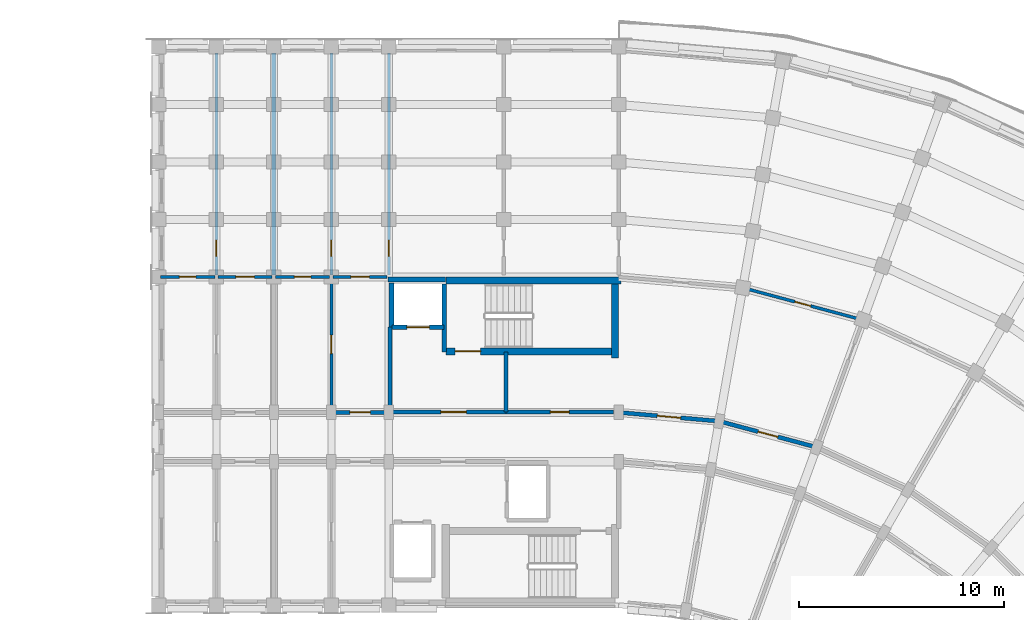
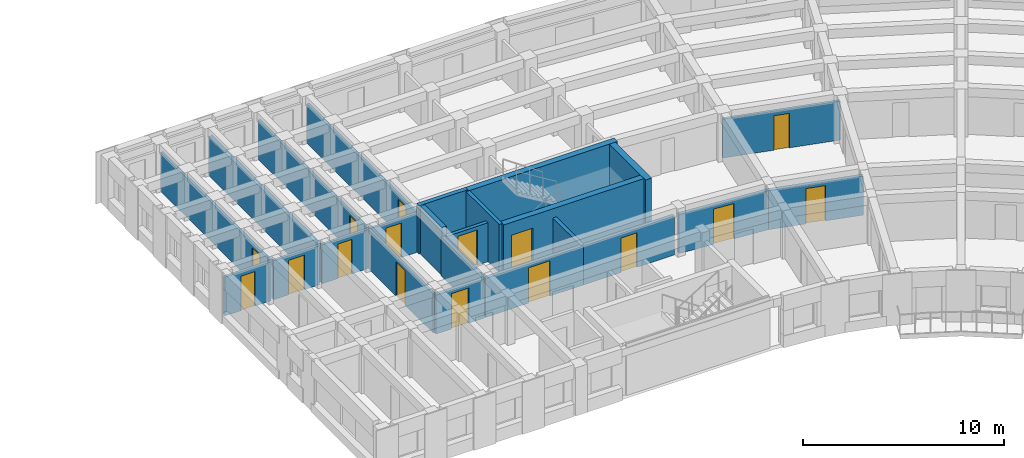
# One storey, part 31 of 57: 24 walls, 16 doors, 16 openings.
"""IFC4 building model written with IfcOpenShell, lengths in metres."""

import ifcopenshell
import ifcopenshell.guid

model = None  # the IFC model being written
_history = None  # IfcOwnerHistory: only IFC2X3 demands one
_inside = {}  # id of a spatial element -> (the spatial element, [elements in it])
_under = {}  # id of a project, library or spatial element -> (it, [spatial elements below it])
_declared = {}  # id of a project -> (the project, [libraries it declares])
_typed = {}  # id of a type object -> (the type object, [elements of that type])
_made_of = {}  # id of a material, layer set ... -> (it, [elements and type objects made of it])


def new_model(schema):
    """Start an empty IFC model of exactly this schema.

    Asked for "IFC4X3", IfcOpenShell would pick the latest addendum, in which some entities
    have other attributes; the version numbers below select the first issue.
    IFC2X3 requires an IfcOwnerHistory on every rooted entity: one is made here for all.
    """
    global model, _history
    if schema == "IFC4X3":
        model = ifcopenshell.file(schema_version=(4, 3, 0, 0))
    else:
        model = ifcopenshell.file(schema=schema)
    _inside.clear()
    _under.clear()
    _declared.clear()
    _typed.clear()
    _made_of.clear()
    _history = None
    if model.schema == "IFC2X3":
        org = make("IfcOrganization", Name="unknown")
        user = make(
            "IfcPersonAndOrganization",
            ThePerson=make("IfcPerson", FamilyName="unknown"),
            TheOrganization=org,
        )
        app = make(
            "IfcApplication",
            ApplicationDeveloper=org,
            Version="unknown",
            ApplicationFullName="unknown",
            ApplicationIdentifier="unknown",
        )
        _history = make(
            "IfcOwnerHistory",
            OwningUser=user,
            OwningApplication=app,
            ChangeAction="ADDED",
            CreationDate=0,
        )
    return model


def make(cls, **values):
    """One entity of the class cls with the attributes given. An attribute that is None is left unset."""
    return model.create_entity(
        cls, **{name: value for name, value in values.items() if value is not None}
    )


def rooted(cls, **values):
    """An entity with a GlobalId (a new one), such as an element, a storey or a relation."""
    return make(cls, GlobalId=ifcopenshell.guid.new(), OwnerHistory=_history, **values)


def si_unit(unit_type, name, prefix=None):
    """IfcSIUnit, for example si_unit("LENGTHUNIT", "METRE", prefix="MILLI")."""
    return make("IfcSIUnit", UnitType=unit_type, Prefix=prefix, Name=name)


def assignment(units):
    """IfcUnitAssignment: the units of a project."""
    return None if units is None else make("IfcUnitAssignment", Units=units)


def point(xyz):
    """IfcCartesianPoint."""
    return None if xyz is None else make("IfcCartesianPoint", Coordinates=xyz)


def direction(xyz):
    """IfcDirection."""
    return None if xyz is None else make("IfcDirection", DirectionRatios=xyz)


def frame(location, z_axis=None, x_axis=None):
    """IfcAxis2Placement3D, a coordinate frame: its origin and axes. An axis left out is left unset."""
    return make(
        "IfcAxis2Placement3D",
        Location=point(location),
        Axis=direction(z_axis),
        RefDirection=direction(x_axis),
    )


def frame_2d(location, x_axis=None):
    """IfcAxis2Placement2D, a coordinate frame in the plane: its origin and x axis."""
    return make(
        "IfcAxis2Placement2D", Location=point(location), RefDirection=direction(x_axis)
    )


def origin():
    """The frame at (0, 0, 0) with its axes left unset."""
    return frame((0.0, 0.0, 0.0))


def place(relative_to, where):
    """IfcLocalPlacement: puts the frame where relative to a parent placement (None: the world)."""
    return make(
        "IfcLocalPlacement", PlacementRelTo=relative_to, RelativePlacement=where
    )


def context(
    kind, dimensions, precision=None, world=None, true_north=None, identifier=None
):
    """IfcGeometricRepresentationContext, for example the 3D "Model" context."""
    return make(
        "IfcGeometricRepresentationContext",
        ContextIdentifier=identifier,
        ContextType=kind,
        CoordinateSpaceDimension=dimensions,
        Precision=precision,
        WorldCoordinateSystem=world,
        TrueNorth=true_north,
    )


def subcontext(parent, identifier, kind, view, scale=None):
    """IfcGeometricRepresentationSubContext, for example "Body" below "Model"."""
    return make(
        "IfcGeometricRepresentationSubContext",
        ContextIdentifier=identifier,
        ContextType=kind,
        ParentContext=parent,
        TargetScale=scale,
        TargetView=view,
    )


def project(units=None, contexts=None):
    """IfcProject with its units and contexts."""
    return rooted(
        "IfcProject",
        Name="project",
        RepresentationContexts=contexts,
        UnitsInContext=assignment(units),
    )


def spatial(cls, under=None, at=None, **own):
    """A site, building, storey or space (cls), placed at a placement, below another one or the project."""
    s = rooted(cls, ObjectPlacement=at, **own)
    if under is not None:
        _under.setdefault(under.id(), (under, []))[1].append(s)
    return s


def profile(cls, at=None, kind="AREA", **sizes):
    """A parametric profile (cls). Its sizes go by their IFC names, for example OverallWidth=200.0."""
    return make(cls, ProfileType=kind, Position=at, **sizes)


def rectangle(**sizes):
    """IfcRectangleProfileDef."""
    return profile("IfcRectangleProfileDef", **sizes)


def extrude(swept, where, along, depth):
    """IfcExtrudedAreaSolid: the profile swept, set in the frame where, extruded along a direction by depth."""
    return make(
        "IfcExtrudedAreaSolid",
        SweptArea=swept,
        Position=where,
        ExtrudedDirection=direction(along),
        Depth=depth,
    )


def shape(context_of_items, identifier, shape_type, items):
    """IfcShapeRepresentation: the items that make up one representation, for example the "Body"."""
    return make(
        "IfcShapeRepresentation",
        ContextOfItems=context_of_items,
        RepresentationIdentifier=identifier,
        RepresentationType=shape_type,
        Items=items,
    )


def material(Name=None, Category=None):
    """IfcMaterial."""
    return make("IfcMaterial", Name=Name, Category=Category)


def layer(
    of_material, thickness, ventilated=None, Name=None, Category=None, Priority=None
):
    """IfcMaterialLayer: one layer of a wall or slab, of a material (None: an air gap)."""
    return make(
        "IfcMaterialLayer",
        Material=of_material,
        LayerThickness=thickness,
        IsVentilated=ventilated,
        Name=Name,
        Category=Category,
        Priority=Priority,
    )


def layer_set(layers, Name=None):
    """IfcMaterialLayerSet."""
    return make("IfcMaterialLayerSet", MaterialLayers=layers, LayerSetName=Name)


def made_of(thing, what):
    """Note that an element or type object is made of a material, layer set ...; save() writes the relation."""
    if what is not None:
        _made_of.setdefault(what.id(), (what, []))[1].append(thing)
    return thing


def type_object(cls, material=None, **own):
    """A type object (cls), such as IfcWallType, which elements share."""
    return made_of(rooted(cls, **own), material)


def element(
    cls,
    number,
    at=None,
    inside=None,
    cuts=None,
    type_object=None,
    material=None,
    context=None,
    identifier="Body",
    shape_type=None,
    held_by="IfcProductDefinitionShape",
    body=None,
    shapes=None,
    **own,
):
    """One element of the class cls, such as IfcWall. Its Tag is "e" and its number.

    at: its placement. inside: the storey or other place that contains it. cuts: it is an
    opening in that element (IfcRelVoidsElement). A single representation is given by context,
    identifier, shape_type and body (its items); several are given by shapes. held_by: the class
    of the entity that holds the representations. save() writes the other relations.
    """
    e = rooted(cls, Tag="e%d" % number, ObjectPlacement=at, **own)
    if body is not None:
        shapes = [shape(context, identifier, shape_type, body)]
    if shapes is not None:
        e.Representation = make(held_by, Representations=shapes)
    if inside is not None:
        _inside.setdefault(inside.id(), (inside, []))[1].append(e)
    if cuts is not None:
        rooted(
            "IfcRelVoidsElement", RelatingBuildingElement=cuts, RelatedOpeningElement=e
        )
    if type_object is not None:
        _typed.setdefault(type_object.id(), (type_object, []))[1].append(e)
    return made_of(e, material)


def fill(opening, filler):
    """IfcRelFillsElement: the door or window that sits in an opening."""
    return rooted(
        "IfcRelFillsElement",
        RelatingOpeningElement=opening,
        RelatedBuildingElement=filler,
    )


def aggregate(whole, parts):
    """IfcRelAggregates: a whole, such as a stair, and the parts it consists of."""
    return rooted("IfcRelAggregates", RelatingObject=whole, RelatedObjects=parts)


def save(model, path):
    """Write the relations noted so far, then the file.

    IfcRelAggregates (storeys below a building ...), IfcRelContainedInSpatialStructure (elements
    in a storey), IfcRelDefinesByType, IfcRelAssociatesMaterial and IfcRelDeclares: one each for
    every whole, place, type object, material and project.
    """
    for whole, parts in _under.values():
        aggregate(whole, parts)
    for where, things in _inside.values():
        rooted(
            "IfcRelContainedInSpatialStructure",
            RelatedElements=things,
            RelatingStructure=where,
        )
    for kind, things in _typed.values():
        rooted("IfcRelDefinesByType", RelatedObjects=things, RelatingType=kind)
    for what, things in _made_of.values():
        rooted("IfcRelAssociatesMaterial", RelatedObjects=things, RelatingMaterial=what)
    for by, libraries in _declared.values():
        rooted("IfcRelDeclares", RelatingContext=by, RelatedDefinitions=libraries)
    model.write(path)


model = new_model("IFC4")

# Units and contexts
model_context = context("Model", 3, precision=1e-05, world=origin(), true_north=direction((0.0, 1.0)))
body_context = subcontext(model_context, "Body", "Model", "MODEL_VIEW")
ifc_project = project(units=[si_unit("LENGTHUNIT", "METRE"), si_unit("AREAUNIT", "SQUARE_METRE"), si_unit("VOLUMEUNIT", "CUBIC_METRE"), si_unit("PLANEANGLEUNIT", "RADIAN"), si_unit("MASSUNIT", "GRAM", prefix="KILO")], contexts=[model_context])

# Site, building, storey
site_placement = place(None, origin())
site = spatial("IfcSite", under=ifc_project, at=site_placement, CompositionType="ELEMENT")
building_placement = place(site_placement, origin())
building = spatial("IfcBuilding", under=site, at=building_placement, Name="Kiranvali Square Residences", CompositionType="ELEMENT")
storey_placement = place(building_placement, frame((0.0, 0.0, 18.14990234375)))
storey = spatial("IfcBuildingStorey", under=building, at=storey_placement, Name="L05", CompositionType="ELEMENT", Elevation=18.14990234375)

# Wall, opening, door
ifc_material_1 = material(Name="Autoclaved aerated concrete blockwork masonry", Category="masonry")
ifc_layer_1 = layer(ifc_material_1, 0.199951171875)
ifc_layer_set_1 = layer_set([ifc_layer_1], Name="Autoclaved aerated concrete blockwork masonry")
wall_type_1 = type_object("IfcWallType", Name="WL-COR-200", PredefinedType="STANDARD", material=ifc_layer_set_1)
wall_1_placement = place(storey_placement, frame((108.60009765625, 116.0, 0.0), z_axis=(0.0, 0.0, 1.0), x_axis=(-1.0, 0.0, 0.0)))
wall_1 = element("IfcWall", 1, at=wall_1_placement, inside=storey, type_object=wall_type_1, Name="L05 architectural wall WL-L05-B-A1CO-0", PredefinedType="STANDARD", context=body_context, shape_type="SweptSolid", body=[
    extrude(rectangle(XDim=2.800048828125, YDim=0.199951171875, at=frame_2d((1.39990234375, 0.0))), origin(), (0.0, 0.0, 1.0), 2.3720703125),
])
opening_1_placement = place(wall_1_placement, frame((0.89990234375, 0.0, 0.0)))
opening_1 = element("IfcOpeningElement", 2, at=opening_1_placement, cuts=wall_1, Name="Opening FD-APT-60", PredefinedType="OPENING", context=body_context, shape_type="SweptSolid", body=[
    extrude(rectangle(XDim=1.0, YDim=2.14990234375, at=frame_2d((0.5, 1.074951171875))), frame((0.0, 0.10986328125, 0.0), z_axis=(0.0, -1.0, 0.0), x_axis=(1.0, 0.0, 0.0)), (0.0, 0.0, 1.0), 0.219970703125),
])
ifc_material_2 = material(Name="Fire-rated acoustic hardwood and mineral-core door assembly", Category="wood")
door_type_1 = type_object("IfcDoorType", Name="DR-APT-1000", OperationType="NOTDEFINED", PredefinedType="DOOR", material=ifc_material_2)
door_1_placement = place(opening_1_placement, origin())
door_1 = element("IfcDoor", 3, at=door_1_placement, inside=storey, type_object=door_type_1, Name="L05 door DR-L05-1269 (DR-APT-1000)", OperationType="SINGLE_SWING_LEFT", OverallHeight=2.14990234375, OverallWidth=1.0, PredefinedType="DOOR", context=body_context, shape_type="SweptSolid", body=[
    extrude(rectangle(XDim=1.0, YDim=2.14990234375, at=frame_2d((0.5, 1.074951171875))), frame((0.0, 0.02490234375, 0.0), z_axis=(0.0, -1.0, 0.0), x_axis=(1.0, 0.0, 0.0)), (0.0, 0.0, 1.0), 0.050048828125),
])
fill(opening_1, door_1)

wall_2_placement = place(storey_placement, frame((119.800048828125, 116.0, 0.0), z_axis=(0.0, 0.0, 1.0), x_axis=(0.996193663584, -0.087167566415, 0.0)))
wall_2 = element("IfcWall", 4, at=wall_2_placement, inside=storey, type_object=wall_type_1, Name="L05 architectural wall WL-L05-B-CCO-0", PredefinedType="STANDARD", context=body_context, shape_type="SweptSolid", body=[
    extrude(rectangle(XDim=4.91552734375, YDim=0.199951171875, at=frame_2d((2.457763671875, 0.0))), origin(), (0.0, 0.0, 1.0), 2.3720703125),
])
opening_2_placement = place(wall_2_placement, frame((1.8876953125, 0.0, 0.0)))
opening_2 = element("IfcOpeningElement", 5, at=opening_2_placement, cuts=wall_2, Name="Opening FD-APT-60D", PredefinedType="OPENING", context=body_context, shape_type="SweptSolid", body=[
    extrude(rectangle(XDim=1.139892578125, YDim=2.14990234375, at=frame_2d((0.56982421875, 1.074951171875))), frame((0.0, 0.10986328125, 0.0), z_axis=(0.0, -1.0, 0.0), x_axis=(1.0, 0.0, 0.0)), (0.0, 0.0, 1.0), 0.219970703125),
])
door_type_2 = type_object("IfcDoorType", Name="DR-APT-1140", OperationType="NOTDEFINED", PredefinedType="DOOR", material=ifc_material_2)
door_2_placement = place(opening_2_placement, origin())
door_2 = element("IfcDoor", 6, at=door_2_placement, inside=storey, type_object=door_type_2, Name="L05 door DR-L05-1293 (DR-APT-1140)", OperationType="SINGLE_SWING_LEFT", OverallHeight=2.14990234375, OverallWidth=1.139892578125, PredefinedType="DOOR", context=body_context, shape_type="SweptSolid", body=[
    extrude(rectangle(XDim=1.139892578125, YDim=2.14990234375, at=frame_2d((0.56982421875, 1.074951171875))), frame((0.0, 0.02490234375, 0.0), z_axis=(0.0, -1.0, 0.0), x_axis=(1.0, 0.0, 0.0)), (0.0, 0.0, 1.0), 0.050048828125),
])
fill(opening_2, door_2)

wall_3_placement = place(storey_placement, frame((124.69677734375, 115.571533203125, 0.0), z_axis=(0.0, 0.0, 1.0), x_axis=(0.965930095386, -0.258803112091, 0.0)))
wall_3 = element("IfcWall", 7, at=wall_3_placement, inside=storey, type_object=wall_type_1, Name="L05 architectural wall WL-L05-B-CCO-1", PredefinedType="STANDARD", context=body_context, shape_type="SweptSolid", body=[
    extrude(rectangle(XDim=4.915771484375, YDim=0.199951171875, at=frame_2d((2.4580078125, 0.0))), origin(), (0.0, 0.0, 1.0), 2.3720703125),
])
opening_3_placement = place(wall_3_placement, frame((1.957763671875, 0.0, 0.0)))
opening_3 = element("IfcOpeningElement", 8, at=opening_3_placement, cuts=wall_3, Name="Opening FD-APT-60", PredefinedType="OPENING", context=body_context, shape_type="SweptSolid", body=[
    extrude(rectangle(XDim=1.0, YDim=2.14990234375, at=frame_2d((0.5, 1.074951171875))), frame((0.0, 0.10986328125, 0.0), z_axis=(0.0, -1.0, 0.0), x_axis=(1.0, 0.0, 0.0)), (0.0, 0.0, 1.0), 0.219970703125),
])
door_3_placement = place(opening_3_placement, origin())
door_3 = element("IfcDoor", 9, at=door_3_placement, inside=storey, type_object=door_type_1, Name="L05 door DR-L05-1295 (DR-APT-1000)", OperationType="SINGLE_SWING_LEFT", OverallHeight=2.14990234375, OverallWidth=1.0, PredefinedType="DOOR", context=body_context, shape_type="SweptSolid", body=[
    extrude(rectangle(XDim=1.0, YDim=2.14990234375, at=frame_2d((0.5, 1.074951171875))), frame((0.0, 0.02490234375, 0.0), z_axis=(0.0, -1.0, 0.0), x_axis=(1.0, 0.0, 0.0)), (0.0, 0.0, 1.0), 0.050048828125),
])
fill(opening_3, door_3)

# Wall
ifc_layer_2 = layer(ifc_material_1, 0.219970703125)
ifc_layer_set_2 = layer_set([ifc_layer_2], Name="Autoclaved aerated concrete blockwork masonry")
wall_type_2 = type_object("IfcWallType", Name="WL-DEM-220", PredefinedType="STANDARD", material=ifc_layer_set_2)
wall_4_placement = place(storey_placement, frame((103.0, 122.699951171875, 0.0), z_axis=(0.0, 0.0, 1.0), x_axis=(0.0, 1.0, 0.0)))
element("IfcWall", 10, at=wall_4_placement, inside=storey, type_object=wall_type_2, Name="L05 architectural wall WL-L05-B-A1TO2-2", PredefinedType="STANDARD", context=body_context, shape_type="SweptSolid", body=[
    extrude(rectangle(XDim=10.820068359375, YDim=0.219970703125, at=frame_2d((5.41015625, 0.0))), origin(), (0.0, 0.0, 1.0), 2.3720703125),
])

# Wall, opening, door
ifc_layer_3 = layer(ifc_material_1, 0.199951171875)
ifc_layer_set_3 = layer_set([ifc_layer_3], Name="Autoclaved aerated concrete blockwork masonry")
wall_type_3 = type_object("IfcWallType", Name="WL-FFL-200", PredefinedType="STANDARD", material=ifc_layer_set_3)
wall_5_placement = place(storey_placement, frame((114.300048828125, 116.02001953125, 0.0), z_axis=(0.0, 0.0, 1.0), x_axis=(-1.0, 0.0, 0.0)))
wall_5 = element("IfcWall", 11, at=wall_5_placement, inside=storey, type_object=wall_type_3, Name="L05 architectural wall WL-L05-B-FF-COR", PredefinedType="STANDARD", context=body_context, shape_type="SweptSolid", body=[
    extrude(rectangle(XDim=5.650146484375, YDim=0.199951171875, at=frame_2d((2.8251953125, 0.0))), origin(), (0.0, 0.0, 1.0), 2.3720703125),
])
opening_4_placement = place(wall_5_placement, frame((1.922607421875, 0.0, 0.0)))
opening_4 = element("IfcOpeningElement", 12, at=opening_4_placement, cuts=wall_5, Name="Opening FD-ST-120", PredefinedType="OPENING", context=body_context, shape_type="SweptSolid", body=[
    extrude(rectangle(XDim=1.239990234375, YDim=2.14990234375, at=frame_2d((0.6201171875, 1.074951171875))), frame((0.0, 0.10986328125, 0.0), z_axis=(0.0, -1.0, 0.0), x_axis=(1.0, 0.0, 0.0)), (0.0, 0.0, 1.0), 0.219970703125),
])
door_type_3 = type_object("IfcDoorType", Name="DR-FD120-1200", OperationType="NOTDEFINED", PredefinedType="DOOR", material=ifc_material_2)
door_4_placement = place(opening_4_placement, origin())
door_4 = element("IfcDoor", 13, at=door_4_placement, inside=storey, type_object=door_type_3, Name="L05 door DR-L05-1255 (DR-FD120-1200)", OperationType="SINGLE_SWING_LEFT", OverallHeight=2.14990234375, OverallWidth=1.239990234375, PredefinedType="DOOR", context=body_context, shape_type="SweptSolid", body=[
    extrude(rectangle(XDim=1.239990234375, YDim=2.14990234375, at=frame_2d((0.6201171875, 1.074951171875))), frame((0.0, 0.02490234375, 0.0), z_axis=(0.0, -1.0, 0.0), x_axis=(1.0, 0.0, 0.0)), (0.0, 0.0, 1.0), 0.050048828125),
])
fill(opening_4, door_4)

# Walls
wall_6_placement = place(storey_placement, frame((114.300048828125, 116.02001953125, 0.0), z_axis=(0.0, 0.0, 1.0), x_axis=(0.0, 1.0, 0.0)))
element("IfcWall", 14, at=wall_6_placement, inside=storey, type_object=wall_type_3, Name="L05 architectural wall WL-L05-B-FF-DIV", PredefinedType="STANDARD", context=body_context, shape_type="SweptSolid", body=[
    extrude(rectangle(XDim=2.929931640625, YDim=0.199951171875, at=frame_2d((1.46484375, 0.0))), origin(), (0.0, 0.0, 1.0), 2.3720703125),
])
wall_7_placement = place(storey_placement, frame((108.64990234375, 116.02001953125, 0.0), z_axis=(0.0, 0.0, 1.0), x_axis=(0.0, 1.0, 0.0)))
element("IfcWall", 15, at=wall_7_placement, inside=storey, type_object=wall_type_3, Name="L05 architectural wall WL-L05-B-FF-END", PredefinedType="STANDARD", context=body_context, shape_type="SweptSolid", body=[
    extrude(rectangle(XDim=4.1298828125, YDim=0.199951171875, at=frame_2d((2.06494140625, 0.0))), origin(), (0.0, 0.0, 1.0), 2.3720703125),
])

# Wall, opening, door
wall_8_placement = place(storey_placement, frame((111.300048828125, 120.14990234375, 0.0), z_axis=(0.0, 0.0, 1.0), x_axis=(-1.0, 0.0, 0.0)))
wall_8 = element("IfcWall", 16, at=wall_8_placement, inside=storey, type_object=wall_type_3, Name="L05 architectural wall WL-L05-B-FF-LFT", PredefinedType="STANDARD", context=body_context, shape_type="SweptSolid", body=[
    extrude(rectangle(XDim=2.550048828125, YDim=0.199951171875, at=frame_2d((1.27490234375, 0.0))), origin(), (0.0, 0.0, 1.0), 2.3720703125),
])
opening_5_placement = place(wall_8_placement, frame((0.72509765625, 0.0, 0.0)))
opening_5 = element("IfcOpeningElement", 17, at=opening_5_placement, cuts=wall_8, Name="Opening LD-FF-110", PredefinedType="OPENING", context=body_context, shape_type="SweptSolid", body=[
    extrude(rectangle(XDim=1.10009765625, YDim=2.14990234375, at=frame_2d((0.550048828125, 1.074951171875))), frame((0.0, 0.10986328125, 0.0), z_axis=(0.0, -1.0, 0.0), x_axis=(1.0, 0.0, 0.0)), (0.0, 0.0, 1.0), 0.219970703125),
])
door_type_4 = type_object("IfcDoorType", Name="DR-LIFT-FF-1100", OperationType="SLIDING_TO_LEFT", PredefinedType="DOOR", material=ifc_material_2)
door_5_placement = place(opening_5_placement, origin())
door_5 = element("IfcDoor", 18, at=door_5_placement, inside=storey, type_object=door_type_4, Name="L05 door DR-L05-1257 (DR-LIFT-FF-1100)", OperationType="SLIDING_TO_LEFT", OverallHeight=2.14990234375, OverallWidth=1.10009765625, PredefinedType="DOOR", context=body_context, shape_type="SweptSolid", body=[
    extrude(rectangle(XDim=1.10009765625, YDim=2.14990234375, at=frame_2d((0.550048828125, 1.074951171875))), frame((0.0, 0.02490234375, 0.0), z_axis=(0.0, -1.0, 0.0), x_axis=(1.0, 0.0, 0.0)), (0.0, 0.0, 1.0), 0.050048828125),
])
fill(opening_5, door_5)

ifc_material_3 = material(Name="Acoustic gypsum board drylined partition", Category="gypsum")
ifc_layer_4 = layer(ifc_material_3, 0.14990234375)
ifc_layer_set_4 = layer_set([ifc_layer_4], Name="Acoustic gypsum board drylined partition")
wall_type_4 = type_object("IfcWallType", Name="WL-PRT-150", PredefinedType="PARTITIONING", material=ifc_layer_set_4)
wall_9_placement = place(storey_placement, frame((108.60009765625, 122.699951171875, 0.0), z_axis=(0.0, 0.0, 1.0), x_axis=(0.0, 1.0, 0.0)))
wall_9 = element("IfcWall", 19, at=wall_9_placement, inside=storey, type_object=wall_type_4, Name="L05 architectural wall WL-L05-B-A1TO2-0", PredefinedType="PARTITIONING", context=body_context, shape_type="SweptSolid", body=[
    extrude(rectangle(XDim=10.820068359375, YDim=0.14990234375, at=frame_2d((5.41015625, 0.0))), origin(), (0.0, 0.0, 1.0), 2.3720703125),
])
opening_6_placement = place(wall_9_placement, frame((0.8994140625, 0.0, 0.0)))
opening_6 = element("IfcOpeningElement", 20, at=opening_6_placement, cuts=wall_9, Name="Opening ID-WET", PredefinedType="OPENING", context=body_context, shape_type="SweptSolid", body=[
    extrude(rectangle(XDim=0.800048828125, YDim=2.10009765625, at=frame_2d((0.39990234375, 1.050048828125))), frame((0.0, 0.0849609375, 0.0), z_axis=(0.0, -1.0, 0.0), x_axis=(1.0, 0.0, 0.0)), (0.0, 0.0, 1.0), 0.169921875),
])
ifc_material_4 = material(Name="Solid seasoned teak hardwood joinery", Category="wood")
door_type_5 = type_object("IfcDoorType", Name="DR-WET-800", OperationType="NOTDEFINED", PredefinedType="DOOR", material=ifc_material_4)
door_6_placement = place(opening_6_placement, origin())
door_6 = element("IfcDoor", 21, at=door_6_placement, inside=storey, type_object=door_type_5, Name="L05 door DR-L05-1275 (DR-WET-800)", OperationType="SINGLE_SWING_LEFT", OverallHeight=2.10009765625, OverallWidth=0.800048828125, PredefinedType="DOOR", context=body_context, shape_type="SweptSolid", body=[
    extrude(rectangle(XDim=0.800048828125, YDim=2.10009765625, at=frame_2d((0.39990234375, 1.050048828125))), frame((0.0, 0.02490234375, 0.0), z_axis=(0.0, -1.0, 0.0), x_axis=(1.0, 0.0, 0.0)), (0.0, 0.0, 1.0), 0.050048828125),
])
fill(opening_6, door_6)

wall_10_placement = place(storey_placement, frame((105.800048828125, 116.050048828125, 0.0), z_axis=(0.0, 0.0, 1.0), x_axis=(0.0, 1.0, 0.0)))
wall_10 = element("IfcWall", 22, at=wall_10_placement, inside=storey, type_object=wall_type_4, Name="L05 architectural wall WL-L05-B-A1TO1-1", PredefinedType="PARTITIONING", context=body_context, shape_type="SweptSolid", body=[
    extrude(rectangle(XDim=6.530029296875, YDim=0.14990234375, at=frame_2d((3.26513671875, 0.0))), origin(), (0.0, 0.0, 1.0), 2.3720703125),
])
opening_7_placement = place(wall_10_placement, frame((2.81494140625, 0.0, 0.0)))
opening_7 = element("IfcOpeningElement", 23, at=opening_7_placement, cuts=wall_10, Name="Opening ID-1", PredefinedType="OPENING", context=body_context, shape_type="SweptSolid", body=[
    extrude(rectangle(XDim=0.89990234375, YDim=2.10009765625, at=frame_2d((0.449951171875, 1.050048828125))), frame((0.0, 0.0849609375, 0.0), z_axis=(0.0, -1.0, 0.0), x_axis=(1.0, 0.0, 0.0)), (0.0, 0.0, 1.0), 0.169921875),
])
door_type_6 = type_object("IfcDoorType", Name="DR-INT-900", OperationType="NOTDEFINED", PredefinedType="DOOR", material=ifc_material_4)
door_7_placement = place(opening_7_placement, origin())
door_7 = element("IfcDoor", 24, at=door_7_placement, inside=storey, type_object=door_type_6, Name="L05 door DR-L05-1277 (DR-INT-900)", OperationType="SINGLE_SWING_LEFT", OverallHeight=2.10009765625, OverallWidth=0.89990234375, PredefinedType="DOOR", context=body_context, shape_type="SweptSolid", body=[
    extrude(rectangle(XDim=0.89990234375, YDim=2.10009765625, at=frame_2d((0.449951171875, 1.050048828125))), frame((0.0, 0.02490234375, 0.0), z_axis=(0.0, -1.0, 0.0), x_axis=(1.0, 0.0, 0.0)), (0.0, 0.0, 1.0), 0.050048828125),
])
fill(opening_7, door_7)

wall_11_placement = place(storey_placement, frame((105.800048828125, 122.699951171875, 0.0), z_axis=(0.0, 0.0, 1.0), x_axis=(0.0, 1.0, 0.0)))
wall_11 = element("IfcWall", 25, at=wall_11_placement, inside=storey, type_object=wall_type_4, Name="L05 architectural wall WL-L05-B-A1TO2-1", PredefinedType="PARTITIONING", context=body_context, shape_type="SweptSolid", body=[
    extrude(rectangle(XDim=10.820068359375, YDim=0.14990234375, at=frame_2d((5.41015625, 0.0))), origin(), (0.0, 0.0, 1.0), 2.3720703125),
])
opening_8_placement = place(wall_11_placement, frame((0.8994140625, 0.0, 0.0)))
opening_8 = element("IfcOpeningElement", 26, at=opening_8_placement, cuts=wall_11, Name="Opening ID-WET", PredefinedType="OPENING", context=body_context, shape_type="SweptSolid", body=[
    extrude(rectangle(XDim=0.800048828125, YDim=2.10009765625, at=frame_2d((0.39990234375, 1.050048828125))), frame((0.0, 0.0849609375, 0.0), z_axis=(0.0, -1.0, 0.0), x_axis=(1.0, 0.0, 0.0)), (0.0, 0.0, 1.0), 0.169921875),
])
door_8_placement = place(opening_8_placement, frame((0.800048828125, 0.0, 0.0), z_axis=(0.0, 0.0, 1.0), x_axis=(-1.0, 0.0, 0.0)))
door_8 = element("IfcDoor", 27, at=door_8_placement, inside=storey, type_object=door_type_5, Name="L05 door DR-L05-1278 (DR-WET-800)", OperationType="SINGLE_SWING_RIGHT", OverallHeight=2.10009765625, OverallWidth=0.800048828125, PredefinedType="DOOR", context=body_context, shape_type="SweptSolid", body=[
    extrude(rectangle(XDim=0.800048828125, YDim=2.10009765625, at=frame_2d((0.39990234375, 1.050048828125))), frame((0.0, 0.02490234375, 0.0), z_axis=(0.0, -1.0, 0.0), x_axis=(1.0, 0.0, 0.0)), (0.0, 0.0, 1.0), 0.050048828125),
])
fill(opening_8, door_8)

wall_12_placement = place(storey_placement, frame((100.199951171875, 122.699951171875, 0.0), z_axis=(0.0, 0.0, 1.0), x_axis=(0.0, 1.0, 0.0)))
wall_12 = element("IfcWall", 28, at=wall_12_placement, inside=storey, type_object=wall_type_4, Name="L05 architectural wall WL-L05-B-A1TO2-3", PredefinedType="PARTITIONING", context=body_context, shape_type="SweptSolid", body=[
    extrude(rectangle(XDim=10.820068359375, YDim=0.14990234375, at=frame_2d((5.41015625, 0.0))), origin(), (0.0, 0.0, 1.0), 2.3720703125),
])
opening_9_placement = place(wall_12_placement, frame((0.8994140625, 0.0, 0.0)))
opening_9 = element("IfcOpeningElement", 29, at=opening_9_placement, cuts=wall_12, Name="Opening ID-WET", PredefinedType="OPENING", context=body_context, shape_type="SweptSolid", body=[
    extrude(rectangle(XDim=0.800048828125, YDim=2.10009765625, at=frame_2d((0.39990234375, 1.050048828125))), frame((0.0, 0.0849609375, 0.0), z_axis=(0.0, -1.0, 0.0), x_axis=(1.0, 0.0, 0.0)), (0.0, 0.0, 1.0), 0.169921875),
])
door_9_placement = place(opening_9_placement, origin())
door_9 = element("IfcDoor", 30, at=door_9_placement, inside=storey, type_object=door_type_5, Name="L05 door DR-L05-1281 (DR-WET-800)", OperationType="SINGLE_SWING_LEFT", OverallHeight=2.10009765625, OverallWidth=0.800048828125, PredefinedType="DOOR", context=body_context, shape_type="SweptSolid", body=[
    extrude(rectangle(XDim=0.800048828125, YDim=2.10009765625, at=frame_2d((0.39990234375, 1.050048828125))), frame((0.0, 0.02490234375, 0.0), z_axis=(0.0, -1.0, 0.0), x_axis=(1.0, 0.0, 0.0)), (0.0, 0.0, 1.0), 0.050048828125),
])
fill(opening_9, door_9)

ifc_layer_5 = layer(ifc_material_1, 0.199951171875)
ifc_layer_set_5 = layer_set([ifc_layer_5], Name="Autoclaved aerated concrete blockwork masonry")
wall_type_5 = type_object("IfcWallType", Name="WL-SHF-200", PredefinedType="STANDARD", material=ifc_layer_set_5)
wall_13_placement = place(storey_placement, frame((119.550048828125, 116.02001953125, 0.0), z_axis=(0.0, 0.0, 1.0), x_axis=(-1.0, 0.0, 0.0)))
wall_13 = element("IfcWall", 31, at=wall_13_placement, inside=storey, type_object=wall_type_5, Name="L05 architectural wall WL-L05-B-RSR-COR", PredefinedType="STANDARD", context=body_context, shape_type="SweptSolid", body=[
    extrude(rectangle(XDim=5.25, YDim=0.199951171875, at=frame_2d((2.625, 0.0))), origin(), (0.0, 0.0, 1.0), 2.3720703125),
])
opening_10_placement = place(wall_13_placement, frame((2.1650390625, 0.0, 0.0)))
opening_10 = element("IfcOpeningElement", 32, at=opening_10_placement, cuts=wall_13, Name="Opening FD-SVC-120", PredefinedType="OPENING", context=body_context, shape_type="SweptSolid", body=[
    extrude(rectangle(XDim=0.919921875, YDim=2.10009765625, at=frame_2d((0.4599609375, 1.050048828125))), frame((0.0, 0.10986328125, 0.0), z_axis=(0.0, -1.0, 0.0), x_axis=(1.0, 0.0, 0.0)), (0.0, 0.0, 1.0), 0.219970703125),
])
door_type_7 = type_object("IfcDoorType", Name="DR-SVC-900", OperationType="NOTDEFINED", PredefinedType="DOOR", material=ifc_material_2)
door_10_placement = place(opening_10_placement, frame((0.919921875, 0.0, 0.0), z_axis=(0.0, 0.0, 1.0), x_axis=(-1.0, 0.0, 0.0)))
door_10 = element("IfcDoor", 33, at=door_10_placement, inside=storey, type_object=door_type_7, Name="L05 door DR-L05-1256 (DR-SVC-900)", OperationType="SINGLE_SWING_RIGHT", OverallHeight=2.10009765625, OverallWidth=0.919921875, PredefinedType="DOOR", context=body_context, shape_type="SweptSolid", body=[
    extrude(rectangle(XDim=0.919921875, YDim=2.10009765625, at=frame_2d((0.4599609375, 1.050048828125))), frame((0.0, 0.02490234375, 0.0), z_axis=(0.0, -1.0, 0.0), x_axis=(1.0, 0.0, 0.0)), (0.0, 0.0, 1.0), 0.050048828125),
])
fill(opening_10, door_10)

# Walls
wall_14_placement = place(storey_placement, frame((111.300048828125, 118.949951171875, 0.0), z_axis=(0.0, 0.0, 1.0), x_axis=(0.0, 1.0, 0.0)))
element("IfcWall", 34, at=wall_14_placement, inside=storey, type_object=wall_type_5, Name="L05 architectural wall WL-L05-B-FF-SHF", PredefinedType="STANDARD", context=body_context, shape_type="SweptSolid", body=[
    extrude(rectangle(XDim=3.300048828125, YDim=0.199951171875, at=frame_2d((1.64990234375, 0.0))), origin(), (0.0, 0.0, 1.0), 2.93017578125),
])
ifc_material_5 = material(Name="Concrete M45 (45 MPa)", Category="concrete")
ifc_layer_6 = layer(ifc_material_5, 0.25)
ifc_layer_set_6 = layer_set([ifc_layer_6], Name="Concrete M45 (45 MPa)")
wall_type_6 = type_object("IfcWallType", Name="WL-SHR-250", PredefinedType="SHEAR", material=ifc_layer_set_6)
wall_15_placement = place(storey_placement, frame((111.35009765625, 122.47509765625, 0.0), z_axis=(0.0, 0.0, 1.0), x_axis=(-1.0, 0.0, 0.0)))
element("IfcWall", 35, at=wall_15_placement, inside=storey, type_object=wall_type_6, Name="Block B core shear wall SW-BFF-BK-L05", PredefinedType="SHEAR", context=body_context, shape_type="SweptSolid", body=[
    extrude(rectangle(XDim=2.800048828125, YDim=0.25, at=frame_2d((1.39990234375, 0.0))), origin(), (0.0, 0.0, 1.0), 2.93017578125),
])
wall_16_placement = place(storey_placement, frame((108.72509765625, 120.14990234375, 0.0), z_axis=(0.0, 0.0, 1.0), x_axis=(0.0, 1.0, 0.0)))
element("IfcWall", 36, at=wall_16_placement, inside=storey, type_object=wall_type_6, Name="Block B core shear wall SW-BFF-SD-L05", PredefinedType="SHEAR", context=body_context, shape_type="SweptSolid", body=[
    extrude(rectangle(XDim=2.150146484375, YDim=0.25, at=frame_2d((1.0751953125, 0.0))), origin(), (0.0, 0.0, 1.0), 2.93017578125),
])
ifc_material_6 = material(Name="Concrete M50 (50 MPa)", Category="concrete")
ifc_layer_7 = layer(ifc_material_6, 0.35009765625)
ifc_layer_set_7 = layer_set([ifc_layer_7], Name="Concrete M50 (50 MPa)")
wall_type_7 = type_object("IfcWallType", Name="WL-SHR-350", PredefinedType="SHEAR", material=ifc_layer_set_7)
wall_17_placement = place(storey_placement, frame((119.919921875, 122.425048828125, 0.0), z_axis=(0.0, 0.0, 1.0), x_axis=(-1.0, 0.0, 0.0)))
element("IfcWall", 37, at=wall_17_placement, inside=storey, type_object=wall_type_7, Name="Block B core shear wall SW-B1-OUT-L05", PredefinedType="SHEAR", context=body_context, shape_type="SweptSolid", body=[
    extrude(rectangle(XDim=8.544921875, YDim=0.35009765625, at=frame_2d((4.2724609375, 0.0))), origin(), (0.0, 0.0, 1.0), 2.93017578125),
])

# Wall, opening, door
wall_18_placement = place(storey_placement, frame((119.449951171875, 118.97509765625, 0.0), z_axis=(0.0, 0.0, 1.0), x_axis=(-1.0, 0.0, 0.0)))
wall_18 = element("IfcWall", 38, at=wall_18_placement, inside=storey, type_object=wall_type_7, Name="Block B core shear wall SW-B1-IN-L05", PredefinedType="SHEAR", context=body_context, shape_type="SweptSolid", body=[
    extrude(rectangle(XDim=8.074951171875, YDim=0.35009765625, at=frame_2d((4.03759765625, 0.0))), origin(), (0.0, 0.0, 1.0), 2.93017578125),
])
opening_11_placement = place(wall_18_placement, frame((6.3798828125, 0.0, 0.0)))
opening_11 = element("IfcOpeningElement", 39, at=opening_11_placement, cuts=wall_18, Name="Opening FD-ST-120", PredefinedType="OPENING", context=body_context, shape_type="SweptSolid", body=[
    extrude(rectangle(XDim=1.239990234375, YDim=2.14990234375, at=frame_2d((0.6201171875, 1.074951171875))), frame((0.0, 0.18505859375, 0.0), z_axis=(0.0, -1.0, 0.0), x_axis=(1.0, 0.0, 0.0)), (0.0, 0.0, 1.0), 0.3701171875),
])
door_11_placement = place(opening_11_placement, frame((1.239990234375, 0.0, 0.0), z_axis=(0.0, 0.0, 1.0), x_axis=(-1.0, 0.0, 0.0)))
door_11 = element("IfcDoor", 40, at=door_11_placement, inside=storey, type_object=door_type_3, Name="L05 door DR-L05-1258 (DR-FD120-1200)", OperationType="SINGLE_SWING_RIGHT", OverallHeight=2.14990234375, OverallWidth=1.239990234375, PredefinedType="DOOR", context=body_context, shape_type="SweptSolid", body=[
    extrude(rectangle(XDim=1.239990234375, YDim=2.14990234375, at=frame_2d((0.6201171875, 1.074951171875))), frame((0.0, 0.02490234375, 0.0), z_axis=(0.0, -1.0, 0.0), x_axis=(1.0, 0.0, 0.0)), (0.0, 0.0, 1.0), 0.050048828125),
])
fill(opening_11, door_11)

# Wall
wall_19_placement = place(storey_placement, frame((119.625, 118.64990234375, 0.0), z_axis=(0.0, 0.0, 1.0), x_axis=(0.0, 1.0, 0.0)))
element("IfcWall", 41, at=wall_19_placement, inside=storey, type_object=wall_type_7, Name="Block B core shear wall SW-B1-FAR-L05", PredefinedType="SHEAR", context=body_context, shape_type="SweptSolid", body=[
    extrude(rectangle(XDim=3.60009765625, YDim=0.35009765625, at=frame_2d((1.800048828125, 0.0))), origin(), (0.0, 0.0, 1.0), 2.93017578125),
])

# Wall, opening, door
ifc_layer_8 = layer(ifc_material_1, 0.14990234375)
ifc_layer_set_8 = layer_set([ifc_layer_8], Name="Autoclaved aerated concrete blockwork masonry")
wall_type_8 = type_object("IfcWallType", Name="WL-WET-150", PredefinedType="PLUMBINGWALL", material=ifc_layer_set_8)
wall_20_placement = place(storey_placement, frame((108.52001953125, 122.60009765625, 0.0), z_axis=(0.0, 0.0, 1.0), x_axis=(-1.0, 0.0, 0.0)))
wall_20 = element("IfcWall", 42, at=wall_20_placement, inside=storey, type_object=wall_type_8, Name="L05 architectural wall WL-L05-B-A1SP-0", PredefinedType="PLUMBINGWALL", context=body_context, shape_type="SweptSolid", body=[
    extrude(rectangle(XDim=2.64013671875, YDim=0.14990234375, at=frame_2d((1.320068359375, 0.0))), origin(), (0.0, 0.0, 1.0), 2.3720703125),
])
opening_12_placement = place(wall_20_placement, frame((0.8701171875, 0.0, 0.0)))
opening_12 = element("IfcOpeningElement", 43, at=opening_12_placement, cuts=wall_20, Name="Opening ID-1", PredefinedType="OPENING", context=body_context, shape_type="SweptSolid", body=[
    extrude(rectangle(XDim=0.89990234375, YDim=2.10009765625, at=frame_2d((0.449951171875, 1.050048828125))), frame((0.0, 0.0849609375, 0.0), z_axis=(0.0, -1.0, 0.0), x_axis=(1.0, 0.0, 0.0)), (0.0, 0.0, 1.0), 0.169921875),
])
door_12_placement = place(opening_12_placement, frame((0.89990234375, 0.0, 0.0), z_axis=(0.0, 0.0, 1.0), x_axis=(-1.0, 0.0, 0.0)))
door_12 = element("IfcDoor", 44, at=door_12_placement, inside=storey, type_object=door_type_6, Name="L05 door DR-L05-1268 (DR-INT-900)", OperationType="SINGLE_SWING_RIGHT", OverallHeight=2.10009765625, OverallWidth=0.89990234375, PredefinedType="DOOR", context=body_context, shape_type="SweptSolid", body=[
    extrude(rectangle(XDim=0.89990234375, YDim=2.10009765625, at=frame_2d((0.449951171875, 1.050048828125))), frame((0.0, 0.02490234375, 0.0), z_axis=(0.0, -1.0, 0.0), x_axis=(1.0, 0.0, 0.0)), (0.0, 0.0, 1.0), 0.050048828125),
])
fill(opening_12, door_12)

wall_21_placement = place(storey_placement, frame((105.719970703125, 122.60009765625, 0.0), z_axis=(0.0, 0.0, 1.0), x_axis=(-1.0, 0.0, 0.0)))
wall_21 = element("IfcWall", 45, at=wall_21_placement, inside=storey, type_object=wall_type_8, Name="L05 architectural wall WL-L05-B-A1SP-1", PredefinedType="PLUMBINGWALL", context=body_context, shape_type="SweptSolid", body=[
    extrude(rectangle(XDim=2.639892578125, YDim=0.14990234375, at=frame_2d((1.31982421875, 0.0))), origin(), (0.0, 0.0, 1.0), 2.3720703125),
])
opening_13_placement = place(wall_21_placement, frame((0.919921875, 0.0, 0.0)))
opening_13 = element("IfcOpeningElement", 46, at=opening_13_placement, cuts=wall_21, Name="Opening ID-WET", PredefinedType="OPENING", context=body_context, shape_type="SweptSolid", body=[
    extrude(rectangle(XDim=0.800048828125, YDim=2.10009765625, at=frame_2d((0.39990234375, 1.050048828125))), frame((0.0, 0.0849609375, 0.0), z_axis=(0.0, -1.0, 0.0), x_axis=(1.0, 0.0, 0.0)), (0.0, 0.0, 1.0), 0.169921875),
])
door_13_placement = place(opening_13_placement, frame((0.800048828125, 0.0, 0.0), z_axis=(0.0, 0.0, 1.0), x_axis=(-1.0, 0.0, 0.0)))
door_13 = element("IfcDoor", 47, at=door_13_placement, inside=storey, type_object=door_type_5, Name="L05 door DR-L05-1270 (DR-WET-800)", OperationType="SINGLE_SWING_RIGHT", OverallHeight=2.10009765625, OverallWidth=0.800048828125, PredefinedType="DOOR", context=body_context, shape_type="SweptSolid", body=[
    extrude(rectangle(XDim=0.800048828125, YDim=2.10009765625, at=frame_2d((0.39990234375, 1.050048828125))), frame((0.0, 0.02490234375, 0.0), z_axis=(0.0, -1.0, 0.0), x_axis=(1.0, 0.0, 0.0)), (0.0, 0.0, 1.0), 0.050048828125),
])
fill(opening_13, door_13)

wall_22_placement = place(storey_placement, frame((102.919921875, 122.60009765625, 0.0), z_axis=(0.0, 0.0, 1.0), x_axis=(-1.0, 0.0, 0.0)))
wall_22 = element("IfcWall", 48, at=wall_22_placement, inside=storey, type_object=wall_type_8, Name="L05 architectural wall WL-L05-B-A1SP-2", PredefinedType="PLUMBINGWALL", context=body_context, shape_type="SweptSolid", body=[
    extrude(rectangle(XDim=2.639892578125, YDim=0.14990234375, at=frame_2d((1.31982421875, 0.0))), origin(), (0.0, 0.0, 1.0), 2.3720703125),
])
opening_14_placement = place(wall_22_placement, frame((0.8701171875, 0.0, 0.0)))
opening_14 = element("IfcOpeningElement", 49, at=opening_14_placement, cuts=wall_22, Name="Opening ID-1", PredefinedType="OPENING", context=body_context, shape_type="SweptSolid", body=[
    extrude(rectangle(XDim=0.89990234375, YDim=2.10009765625, at=frame_2d((0.449951171875, 1.050048828125))), frame((0.0, 0.0849609375, 0.0), z_axis=(0.0, -1.0, 0.0), x_axis=(1.0, 0.0, 0.0)), (0.0, 0.0, 1.0), 0.169921875),
])
door_14_placement = place(opening_14_placement, frame((0.89990234375, 0.0, 0.0), z_axis=(0.0, 0.0, 1.0), x_axis=(-1.0, 0.0, 0.0)))
door_14 = element("IfcDoor", 50, at=door_14_placement, inside=storey, type_object=door_type_6, Name="L05 door DR-L05-1272 (DR-INT-900)", OperationType="SINGLE_SWING_RIGHT", OverallHeight=2.10009765625, OverallWidth=0.89990234375, PredefinedType="DOOR", context=body_context, shape_type="SweptSolid", body=[
    extrude(rectangle(XDim=0.89990234375, YDim=2.10009765625, at=frame_2d((0.449951171875, 1.050048828125))), frame((0.0, 0.02490234375, 0.0), z_axis=(0.0, -1.0, 0.0), x_axis=(1.0, 0.0, 0.0)), (0.0, 0.0, 1.0), 0.050048828125),
])
fill(opening_14, door_14)

wall_23_placement = place(storey_placement, frame((100.1201171875, 122.60009765625, 0.0), z_axis=(0.0, 0.0, 1.0), x_axis=(-1.0, 0.0, 0.0)))
wall_23 = element("IfcWall", 51, at=wall_23_placement, inside=storey, type_object=wall_type_8, Name="L05 architectural wall WL-L05-B-A1SP-3", PredefinedType="PLUMBINGWALL", context=body_context, shape_type="SweptSolid", body=[
    extrude(rectangle(XDim=2.64013671875, YDim=0.14990234375, at=frame_2d((1.320068359375, 0.0))), origin(), (0.0, 0.0, 1.0), 2.3720703125),
])
opening_15_placement = place(wall_23_placement, frame((0.919921875, 0.0, 0.0)))
opening_15 = element("IfcOpeningElement", 52, at=opening_15_placement, cuts=wall_23, Name="Opening ID-WET", PredefinedType="OPENING", context=body_context, shape_type="SweptSolid", body=[
    extrude(rectangle(XDim=0.800048828125, YDim=2.10009765625, at=frame_2d((0.39990234375, 1.050048828125))), frame((0.0, 0.0849609375, 0.0), z_axis=(0.0, -1.0, 0.0), x_axis=(1.0, 0.0, 0.0)), (0.0, 0.0, 1.0), 0.169921875),
])
door_15_placement = place(opening_15_placement, frame((0.800048828125, 0.0, 0.0), z_axis=(0.0, 0.0, 1.0), x_axis=(-1.0, 0.0, 0.0)))
door_15 = element("IfcDoor", 53, at=door_15_placement, inside=storey, type_object=door_type_5, Name="L05 door DR-L05-1274 (DR-WET-800)", OperationType="SINGLE_SWING_RIGHT", OverallHeight=2.10009765625, OverallWidth=0.800048828125, PredefinedType="DOOR", context=body_context, shape_type="SweptSolid", body=[
    extrude(rectangle(XDim=0.800048828125, YDim=2.10009765625, at=frame_2d((0.39990234375, 1.050048828125))), frame((0.0, 0.02490234375, 0.0), z_axis=(0.0, -1.0, 0.0), x_axis=(1.0, 0.0, 0.0)), (0.0, 0.0, 1.0), 0.050048828125),
])
fill(opening_15, door_15)

wall_24_placement = place(storey_placement, frame((125.843017578125, 122.0712890625, 0.0), z_axis=(0.0, 0.0, 1.0), x_axis=(0.965923618901, -0.258827283048, 0.0)))
wall_24 = element("IfcWall", 54, at=wall_24_placement, inside=storey, type_object=wall_type_8, Name="L05 architectural wall WL-L05-B-CWET-1", PredefinedType="PLUMBINGWALL", context=body_context, shape_type="SweptSolid", body=[
    extrude(rectangle(XDim=6.066162109375, YDim=0.14990234375, at=frame_2d((3.033203125, 0.0))), origin(), (0.0, 0.0, 1.0), 2.3720703125),
])
opening_16_placement = place(wall_24_placement, frame((2.633056640625, 0.0, 0.0)))
opening_16 = element("IfcOpeningElement", 55, at=opening_16_placement, cuts=wall_24, Name="Opening ID-WET", PredefinedType="OPENING", context=body_context, shape_type="SweptSolid", body=[
    extrude(rectangle(XDim=0.800048828125, YDim=2.10009765625, at=frame_2d((0.39990234375, 1.050048828125))), frame((0.0, 0.0849609375, 0.0), z_axis=(0.0, -1.0, 0.0), x_axis=(1.0, 0.0, 0.0)), (0.0, 0.0, 1.0), 0.169921875),
])
door_16_placement = place(opening_16_placement, frame((0.800048828125, 0.0, 0.0), z_axis=(0.0, 0.0, 1.0), x_axis=(-1.0, 0.0, 0.0)))
door_16 = element("IfcDoor", 56, at=door_16_placement, inside=storey, type_object=door_type_5, Name="L05 door DR-L05-1296 (DR-WET-800)", OperationType="SINGLE_SWING_RIGHT", OverallHeight=2.10009765625, OverallWidth=0.800048828125, PredefinedType="DOOR", context=body_context, shape_type="SweptSolid", body=[
    extrude(rectangle(XDim=0.800048828125, YDim=2.10009765625, at=frame_2d((0.39990234375, 1.050048828125))), frame((0.0, 0.02490234375, 0.0), z_axis=(0.0, -1.0, 0.0), x_axis=(1.0, 0.0, 0.0)), (0.0, 0.0, 1.0), 0.050048828125),
])
fill(opening_16, door_16)

save(model, "model.ifc")
